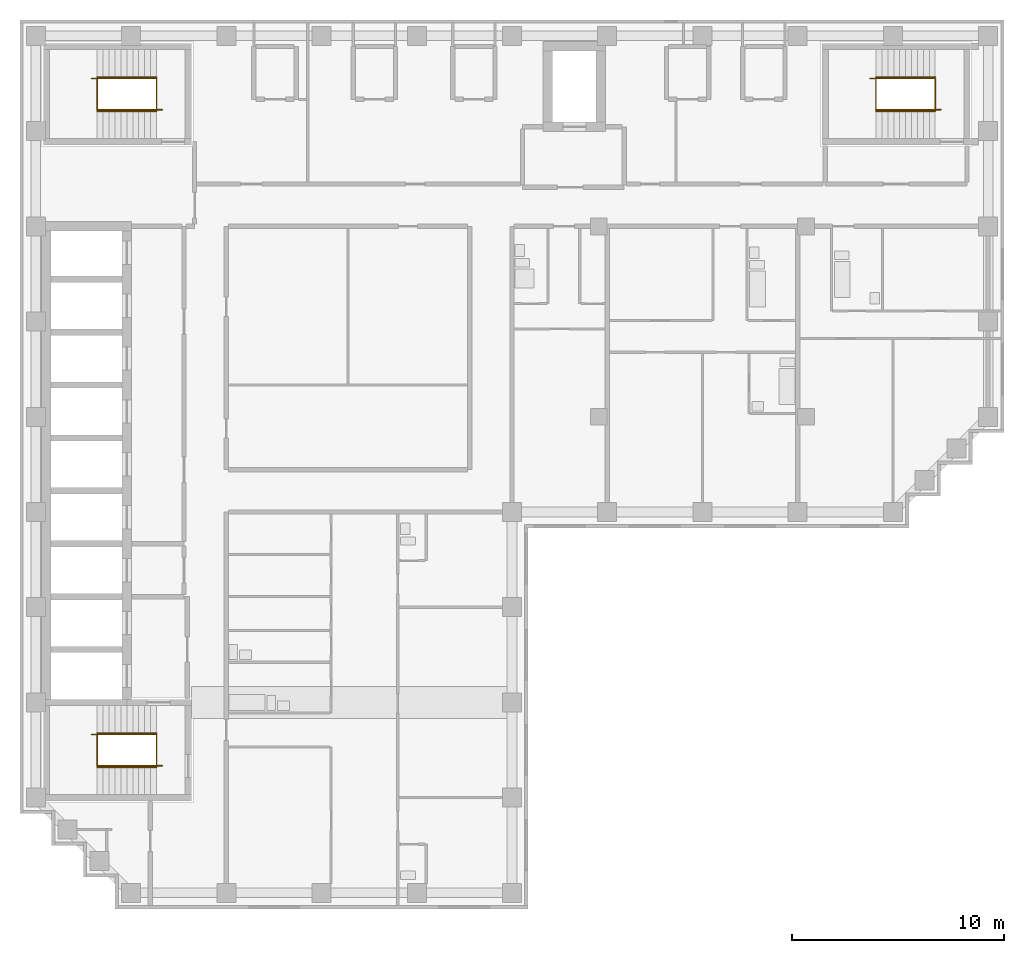
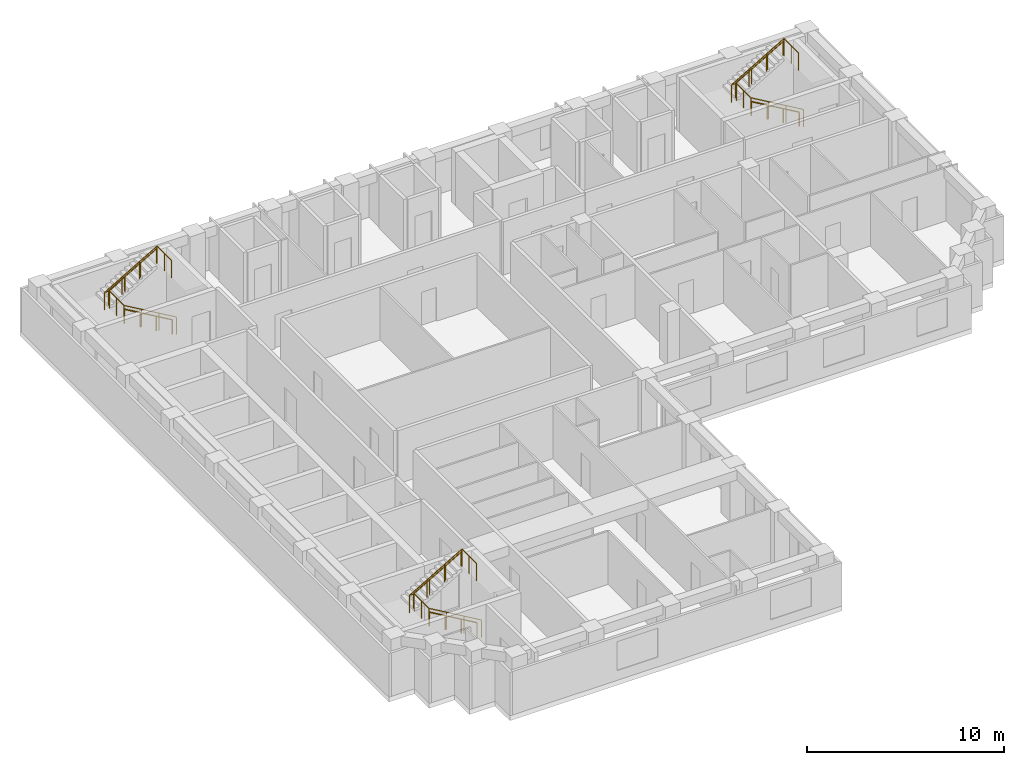
# One storey, part 7 of 8: 9 railings.
"""IFC4 building model written with IfcOpenShell, lengths in metres."""

from ifc_helpers import new_model, si_unit, direction, frame, origin, origin_2d, place, context, subcontext, project, spatial, circle, extrude, material, type_object, element, save


model = new_model("IFC4")

# Units and contexts
model_context = context("Model", 3, precision=1e-05, world=origin(), true_north=direction((0.0, 1.0)))
body_context = subcontext(model_context, "Body", "Model", "MODEL_VIEW")
ifc_project = project(units=[si_unit("LENGTHUNIT", "METRE"), si_unit("AREAUNIT", "SQUARE_METRE"), si_unit("VOLUMEUNIT", "CUBIC_METRE"), si_unit("PLANEANGLEUNIT", "RADIAN"), si_unit("MASSUNIT", "GRAM", prefix="KILO")], contexts=[model_context])

# Site, building, storey
site_placement = place(None, origin())
site = spatial("IfcSite", under=ifc_project, at=site_placement, CompositionType="ELEMENT")
building_placement = place(site_placement, origin())
building = spatial("IfcBuilding", under=site, at=building_placement, Name="Firuza Court", CompositionType="ELEMENT")
storey_placement = place(building_placement, frame((0.0, 0.0, 251.0)))
storey = spatial("IfcBuildingStorey", under=building, at=storey_placement, Name="L65", CompositionType="ELEMENT", Elevation=251.0)

# Railings
ifc_material_1 = material(Name="Steel S355", Category="steel")
railing_type_1 = type_object("IfcRailingType", Name="Handrail 900", PredefinedType="HANDRAIL", material=ifc_material_1)
railing_1_placement = place(storey_placement, frame((42.5, 54.949951171875, 0.16357421875)))
element("IfcRailing", 1, at=railing_1_placement, inside=storey, type_object=railing_type_1, Name="Handrail S1 flight 1", PredefinedType="HANDRAIL", context=body_context, shape_type="SweptSolid", body=[
    extrude(circle(Radius=0.02490234375, at=origin_2d()), frame((0.0, 0.0, 0.875), z_axis=(-0.863360870873, 0.0, 0.504586966384), x_axis=(0.0, -1.0, 0.0)), (0.0, 0.0, 1.0), 3.2431640625),
    extrude(circle(Radius=0.02001953125, at=origin_2d()), origin(), (0.0, 0.0, 1.0), 0.849853515625),
    extrude(circle(Radius=0.02001953125, at=origin_2d()), frame((-0.933349609375, 0.0, 0.54541015625)), (0.0, 0.0, 1.0), 0.849853515625),
    extrude(circle(Radius=0.02001953125, at=origin_2d()), frame((-1.86669921875, 0.0, 1.091064453125)), (0.0, 0.0, 1.0), 0.849853515625),
    extrude(circle(Radius=0.02001953125, at=origin_2d()), frame((-2.800048828125, 0.0, 1.636474609375)), (0.0, 0.0, 1.0), 0.849853515625),
])
railing_2_placement = place(storey_placement, frame((39.699951171875, 56.550048828125, 1.963623046875)))
element("IfcRailing", 2, at=railing_2_placement, inside=storey, type_object=railing_type_1, Name="Handrail S1 flight 2", PredefinedType="HANDRAIL", context=body_context, shape_type="SweptSolid", body=[
    extrude(circle(Radius=0.02490234375, at=origin_2d()), frame((0.0, 0.0, 0.875), z_axis=(0.863360870873, 0.0, 0.504586966384), x_axis=(0.0, 1.0, 0.0)), (0.0, 0.0, 1.0), 3.2431640625),
    extrude(circle(Radius=0.02001953125, at=origin_2d()), origin(), (0.0, 0.0, 1.0), 0.849853515625),
    extrude(circle(Radius=0.02001953125, at=origin_2d()), frame((0.933349609375, 0.0, 0.54541015625)), (0.0, 0.0, 1.0), 0.849853515625),
    extrude(circle(Radius=0.02001953125, at=origin_2d()), frame((1.86669921875, 0.0, 1.091064453125)), (0.0, 0.0, 1.0), 0.849853515625),
    extrude(circle(Radius=0.02001953125, at=origin_2d()), frame((2.800048828125, 0.0, 1.636474609375)), (0.0, 0.0, 1.0), 0.849853515625),
])
railing_3_placement = place(storey_placement, frame((5.699951171875, 23.949951171875, 0.16357421875)))
element("IfcRailing", 3, at=railing_3_placement, inside=storey, type_object=railing_type_1, Name="Handrail S2 flight 1", PredefinedType="HANDRAIL", context=body_context, shape_type="SweptSolid", body=[
    extrude(circle(Radius=0.02490234375, at=origin_2d()), frame((0.0, 0.0, 0.875), z_axis=(-0.863360870873, 0.0, 0.504586966384), x_axis=(0.0, -1.0, 0.0)), (0.0, 0.0, 1.0), 3.2431640625),
    extrude(circle(Radius=0.02001953125, at=origin_2d()), origin(), (0.0, 0.0, 1.0), 0.849853515625),
    extrude(circle(Radius=0.02001953125, at=origin_2d()), frame((-0.933349609375, 0.0, 0.54541015625)), (0.0, 0.0, 1.0), 0.849853515625),
    extrude(circle(Radius=0.02001953125, at=origin_2d()), frame((-1.86669921875, 0.0, 1.091064453125)), (0.0, 0.0, 1.0), 0.849853515625),
    extrude(circle(Radius=0.02001953125, at=origin_2d()), frame((-2.800048828125, 0.0, 1.636474609375)), (0.0, 0.0, 1.0), 0.849853515625),
])
railing_4_placement = place(storey_placement, frame((2.89990234375, 25.550048828125, 1.963623046875)))
element("IfcRailing", 4, at=railing_4_placement, inside=storey, type_object=railing_type_1, Name="Handrail S2 flight 2", PredefinedType="HANDRAIL", context=body_context, shape_type="SweptSolid", body=[
    extrude(circle(Radius=0.02490234375, at=origin_2d()), frame((0.0, 0.0, 0.875), z_axis=(0.863360870873, 0.0, 0.504586966384), x_axis=(0.0, 1.0, 0.0)), (0.0, 0.0, 1.0), 3.2431640625),
    extrude(circle(Radius=0.02001953125, at=origin_2d()), origin(), (0.0, 0.0, 1.0), 0.849853515625),
    extrude(circle(Radius=0.02001953125, at=origin_2d()), frame((0.933349609375, 0.0, 0.54541015625)), (0.0, 0.0, 1.0), 0.849853515625),
    extrude(circle(Radius=0.02001953125, at=origin_2d()), frame((1.86669921875, 0.0, 1.091064453125)), (0.0, 0.0, 1.0), 0.849853515625),
    extrude(circle(Radius=0.02001953125, at=origin_2d()), frame((2.800048828125, 0.0, 1.636474609375)), (0.0, 0.0, 1.0), 0.849853515625),
])
railing_5_placement = place(storey_placement, frame((5.699951171875, 54.949951171875, 0.16357421875)))
element("IfcRailing", 5, at=railing_5_placement, inside=storey, type_object=railing_type_1, Name="Handrail S3 flight 1", PredefinedType="HANDRAIL", context=body_context, shape_type="SweptSolid", body=[
    extrude(circle(Radius=0.02490234375, at=origin_2d()), frame((0.0, 0.0, 0.875), z_axis=(-0.863360870873, 0.0, 0.504586966384), x_axis=(0.0, -1.0, 0.0)), (0.0, 0.0, 1.0), 3.2431640625),
    extrude(circle(Radius=0.02001953125, at=origin_2d()), origin(), (0.0, 0.0, 1.0), 0.849853515625),
    extrude(circle(Radius=0.02001953125, at=origin_2d()), frame((-0.933349609375, 0.0, 0.54541015625)), (0.0, 0.0, 1.0), 0.849853515625),
    extrude(circle(Radius=0.02001953125, at=origin_2d()), frame((-1.86669921875, 0.0, 1.091064453125)), (0.0, 0.0, 1.0), 0.849853515625),
    extrude(circle(Radius=0.02001953125, at=origin_2d()), frame((-2.800048828125, 0.0, 1.636474609375)), (0.0, 0.0, 1.0), 0.849853515625),
])
railing_6_placement = place(storey_placement, frame((2.89990234375, 56.550048828125, 1.963623046875)))
element("IfcRailing", 6, at=railing_6_placement, inside=storey, type_object=railing_type_1, Name="Handrail S3 flight 2", PredefinedType="HANDRAIL", context=body_context, shape_type="SweptSolid", body=[
    extrude(circle(Radius=0.02490234375, at=origin_2d()), frame((0.0, 0.0, 0.875), z_axis=(0.863360870873, 0.0, 0.504586966384), x_axis=(0.0, 1.0, 0.0)), (0.0, 0.0, 1.0), 3.2431640625),
    extrude(circle(Radius=0.02001953125, at=origin_2d()), origin(), (0.0, 0.0, 1.0), 0.849853515625),
    extrude(circle(Radius=0.02001953125, at=origin_2d()), frame((0.933349609375, 0.0, 0.54541015625)), (0.0, 0.0, 1.0), 0.849853515625),
    extrude(circle(Radius=0.02001953125, at=origin_2d()), frame((1.86669921875, 0.0, 1.091064453125)), (0.0, 0.0, 1.0), 0.849853515625),
    extrude(circle(Radius=0.02001953125, at=origin_2d()), frame((2.800048828125, 0.0, 1.636474609375)), (0.0, 0.0, 1.0), 0.849853515625),
])
ifc_material_2 = material(Name="Steel S355", Category="steel")
railing_type_2 = type_object("IfcRailingType", Name="Stair guard 1100", PredefinedType="GUARDRAIL", material=ifc_material_2)
railing_7_placement = place(storey_placement, frame((42.780029296875, 55.010009765625, 0.0)))
element("IfcRailing", 7, at=railing_7_placement, inside=storey, type_object=railing_type_2, Name="Stair well guard S1", PredefinedType="GUARDRAIL", context=body_context, shape_type="SweptSolid", body=[
    extrude(circle(Radius=0.02490234375, at=origin_2d()), frame((0.0, 0.0, 1.0751953125), z_axis=(-0.863371556955, 0.0, 0.504568681787), x_axis=(0.0, -1.0, 0.0)), (0.0, 0.0, 1.0), 3.5673828125),
    extrude(circle(Radius=0.02490234375, at=origin_2d()), frame((-3.080078125, 0.0, 2.875), z_axis=(0.0, 1.0, 0.0), x_axis=(-1.0, 0.0, 0.0)), (0.0, 0.0, 1.0), 1.47998046875),
    extrude(circle(Radius=0.02490234375, at=origin_2d()), frame((-3.080078125, 1.47998046875, 2.875), z_axis=(-1.0, 0.0, 0.0), x_axis=(0.0, -1.0, 0.0)), (0.0, 0.0, 1.0), 0.280029296875),
    extrude(circle(Radius=0.02490234375, at=origin_2d()), frame((-3.360107421875, 1.47998046875, 2.875), z_axis=(0.863371556955, 0.0, 0.504568681787), x_axis=(0.0, 1.0, 0.0)), (0.0, 0.0, 1.0), 3.5673828125),
    extrude(circle(Radius=0.02490234375, at=origin_2d()), frame((-0.280029296875, 1.47998046875, 4.67529296875), z_axis=(0.0, -1.0, 0.0), x_axis=(1.0, 0.0, 0.0)), (0.0, 0.0, 1.0), 1.47998046875),
    extrude(circle(Radius=0.02490234375, at=origin_2d()), origin(), (0.0, 0.0, 1.0), 1.050048828125),
    extrude(circle(Radius=0.02490234375, at=origin_2d()), frame((-1.026611328125, 0.0, 0.60009765625)), (0.0, 0.0, 1.0), 1.050048828125),
    extrude(circle(Radius=0.02490234375, at=origin_2d()), frame((-2.053466796875, 0.0, 1.199951171875)), (0.0, 0.0, 1.0), 1.050048828125),
    extrude(circle(Radius=0.02490234375, at=origin_2d()), frame((-3.080078125, 0.0, 1.800048828125)), (0.0, 0.0, 1.0), 1.050048828125),
    extrude(circle(Radius=0.02490234375, at=origin_2d()), frame((-3.080078125, 0.739990234375, 1.800048828125)), (0.0, 0.0, 1.0), 1.050048828125),
    extrude(circle(Radius=0.02490234375, at=origin_2d()), frame((-3.080078125, 1.47998046875, 1.800048828125)), (0.0, 0.0, 1.0), 1.050048828125),
    extrude(circle(Radius=0.02490234375, at=origin_2d()), frame((-3.360107421875, 1.47998046875, 1.800048828125)), (0.0, 0.0, 1.0), 1.050048828125),
    extrude(circle(Radius=0.02490234375, at=origin_2d()), frame((-2.33349609375, 1.47998046875, 2.400146484375)), (0.0, 0.0, 1.0), 1.050048828125),
    extrude(circle(Radius=0.02490234375, at=origin_2d()), frame((-1.306640625, 1.47998046875, 3.0)), (0.0, 0.0, 1.0), 1.050048828125),
    extrude(circle(Radius=0.02490234375, at=origin_2d()), frame((-0.280029296875, 1.47998046875, 3.60009765625)), (0.0, 0.0, 1.0), 1.050048828125),
    extrude(circle(Radius=0.02490234375, at=origin_2d()), frame((-0.280029296875, 0.739990234375, 3.60009765625)), (0.0, 0.0, 1.0), 1.050048828125),
    extrude(circle(Radius=0.02490234375, at=origin_2d()), frame((-0.280029296875, 0.0, 3.60009765625)), (0.0, 0.0, 1.0), 1.050048828125),
])
railing_8_placement = place(storey_placement, frame((5.97998046875, 24.010009765625, 0.0)))
element("IfcRailing", 8, at=railing_8_placement, inside=storey, type_object=railing_type_2, Name="Stair well guard S2", PredefinedType="GUARDRAIL", context=body_context, shape_type="SweptSolid", body=[
    extrude(circle(Radius=0.02490234375, at=origin_2d()), frame((0.0, 0.0, 1.0751953125), z_axis=(-0.863371556955, 0.0, 0.504568681787), x_axis=(0.0, -1.0, 0.0)), (0.0, 0.0, 1.0), 3.5673828125),
    extrude(circle(Radius=0.02490234375, at=origin_2d()), frame((-3.080078125, 0.0, 2.875), z_axis=(0.0, 1.0, 0.0), x_axis=(-1.0, 0.0, 0.0)), (0.0, 0.0, 1.0), 1.47998046875),
    extrude(circle(Radius=0.02490234375, at=origin_2d()), frame((-3.080078125, 1.47998046875, 2.875), z_axis=(-1.0, 0.0, 0.0), x_axis=(0.0, -1.0, 0.0)), (0.0, 0.0, 1.0), 0.27978515625),
    extrude(circle(Radius=0.02490234375, at=origin_2d()), frame((-3.35986328125, 1.47998046875, 2.875), z_axis=(0.863354132664, 0.0, 0.504598495452), x_axis=(0.0, 1.0, 0.0)), (0.0, 0.0, 1.0), 3.5673828125),
    extrude(circle(Radius=0.02490234375, at=origin_2d()), frame((-0.280029296875, 1.47998046875, 4.67529296875), z_axis=(0.0, -1.0, 0.0), x_axis=(1.0, 0.0, 0.0)), (0.0, 0.0, 1.0), 1.47998046875),
    extrude(circle(Radius=0.02490234375, at=origin_2d()), origin(), (0.0, 0.0, 1.0), 1.050048828125),
    extrude(circle(Radius=0.02490234375, at=origin_2d()), frame((-1.026611328125, 0.0, 0.60009765625)), (0.0, 0.0, 1.0), 1.050048828125),
    extrude(circle(Radius=0.02490234375, at=origin_2d()), frame((-2.053466796875, 0.0, 1.199951171875)), (0.0, 0.0, 1.0), 1.050048828125),
    extrude(circle(Radius=0.02490234375, at=origin_2d()), frame((-3.080078125, 0.0, 1.800048828125)), (0.0, 0.0, 1.0), 1.050048828125),
    extrude(circle(Radius=0.02490234375, at=origin_2d()), frame((-3.080078125, 0.739990234375, 1.800048828125)), (0.0, 0.0, 1.0), 1.050048828125),
    extrude(circle(Radius=0.02490234375, at=origin_2d()), frame((-3.080078125, 1.47998046875, 1.800048828125)), (0.0, 0.0, 1.0), 1.050048828125),
    extrude(circle(Radius=0.02490234375, at=origin_2d()), frame((-3.35986328125, 1.47998046875, 1.800048828125)), (0.0, 0.0, 1.0), 1.050048828125),
    extrude(circle(Radius=0.02490234375, at=origin_2d()), frame((-2.333251953125, 1.47998046875, 2.400146484375)), (0.0, 0.0, 1.0), 1.050048828125),
    extrude(circle(Radius=0.02490234375, at=origin_2d()), frame((-1.306640625, 1.47998046875, 3.0)), (0.0, 0.0, 1.0), 1.050048828125),
    extrude(circle(Radius=0.02490234375, at=origin_2d()), frame((-0.280029296875, 1.47998046875, 3.60009765625)), (0.0, 0.0, 1.0), 1.050048828125),
    extrude(circle(Radius=0.02490234375, at=origin_2d()), frame((-0.280029296875, 0.739990234375, 3.60009765625)), (0.0, 0.0, 1.0), 1.050048828125),
    extrude(circle(Radius=0.02490234375, at=origin_2d()), frame((-0.280029296875, 0.0, 3.60009765625)), (0.0, 0.0, 1.0), 1.050048828125),
])
railing_9_placement = place(storey_placement, frame((5.97998046875, 55.010009765625, 0.0)))
element("IfcRailing", 9, at=railing_9_placement, inside=storey, type_object=railing_type_2, Name="Stair well guard S3", PredefinedType="GUARDRAIL", context=body_context, shape_type="SweptSolid", body=[
    extrude(circle(Radius=0.02490234375, at=origin_2d()), frame((0.0, 0.0, 1.0751953125), z_axis=(-0.863371556955, 0.0, 0.504568681787), x_axis=(0.0, -1.0, 0.0)), (0.0, 0.0, 1.0), 3.5673828125),
    extrude(circle(Radius=0.02490234375, at=origin_2d()), frame((-3.080078125, 0.0, 2.875), z_axis=(0.0, 1.0, 0.0), x_axis=(-1.0, 0.0, 0.0)), (0.0, 0.0, 1.0), 1.47998046875),
    extrude(circle(Radius=0.02490234375, at=origin_2d()), frame((-3.080078125, 1.47998046875, 2.875), z_axis=(-1.0, 0.0, 0.0), x_axis=(0.0, -1.0, 0.0)), (0.0, 0.0, 1.0), 0.27978515625),
    extrude(circle(Radius=0.02490234375, at=origin_2d()), frame((-3.35986328125, 1.47998046875, 2.875), z_axis=(0.863354132664, 0.0, 0.504598495452), x_axis=(0.0, 1.0, 0.0)), (0.0, 0.0, 1.0), 3.5673828125),
    extrude(circle(Radius=0.02490234375, at=origin_2d()), frame((-0.280029296875, 1.47998046875, 4.67529296875), z_axis=(0.0, -1.0, 0.0), x_axis=(1.0, 0.0, 0.0)), (0.0, 0.0, 1.0), 1.47998046875),
    extrude(circle(Radius=0.02490234375, at=origin_2d()), origin(), (0.0, 0.0, 1.0), 1.050048828125),
    extrude(circle(Radius=0.02490234375, at=origin_2d()), frame((-1.026611328125, 0.0, 0.60009765625)), (0.0, 0.0, 1.0), 1.050048828125),
    extrude(circle(Radius=0.02490234375, at=origin_2d()), frame((-2.053466796875, 0.0, 1.199951171875)), (0.0, 0.0, 1.0), 1.050048828125),
    extrude(circle(Radius=0.02490234375, at=origin_2d()), frame((-3.080078125, 0.0, 1.800048828125)), (0.0, 0.0, 1.0), 1.050048828125),
    extrude(circle(Radius=0.02490234375, at=origin_2d()), frame((-3.080078125, 0.739990234375, 1.800048828125)), (0.0, 0.0, 1.0), 1.050048828125),
    extrude(circle(Radius=0.02490234375, at=origin_2d()), frame((-3.080078125, 1.47998046875, 1.800048828125)), (0.0, 0.0, 1.0), 1.050048828125),
    extrude(circle(Radius=0.02490234375, at=origin_2d()), frame((-3.35986328125, 1.47998046875, 1.800048828125)), (0.0, 0.0, 1.0), 1.050048828125),
    extrude(circle(Radius=0.02490234375, at=origin_2d()), frame((-2.333251953125, 1.47998046875, 2.400146484375)), (0.0, 0.0, 1.0), 1.050048828125),
    extrude(circle(Radius=0.02490234375, at=origin_2d()), frame((-1.306640625, 1.47998046875, 3.0)), (0.0, 0.0, 1.0), 1.050048828125),
    extrude(circle(Radius=0.02490234375, at=origin_2d()), frame((-0.280029296875, 1.47998046875, 3.60009765625)), (0.0, 0.0, 1.0), 1.050048828125),
    extrude(circle(Radius=0.02490234375, at=origin_2d()), frame((-0.280029296875, 0.739990234375, 3.60009765625)), (0.0, 0.0, 1.0), 1.050048828125),
    extrude(circle(Radius=0.02490234375, at=origin_2d()), frame((-0.280029296875, 0.0, 3.60009765625)), (0.0, 0.0, 1.0), 1.050048828125),
])

save(model, "model.ifc")
